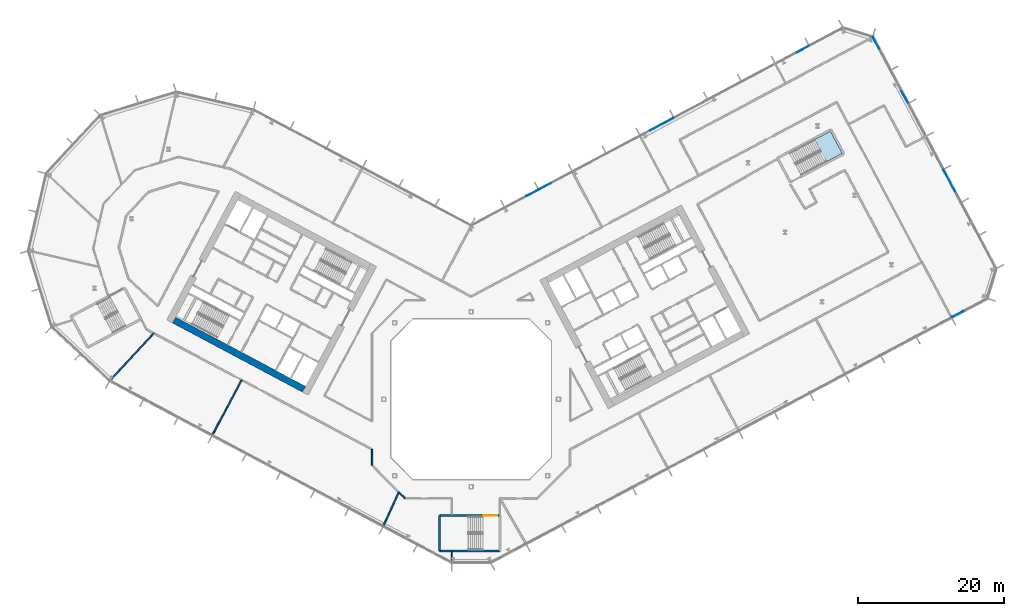
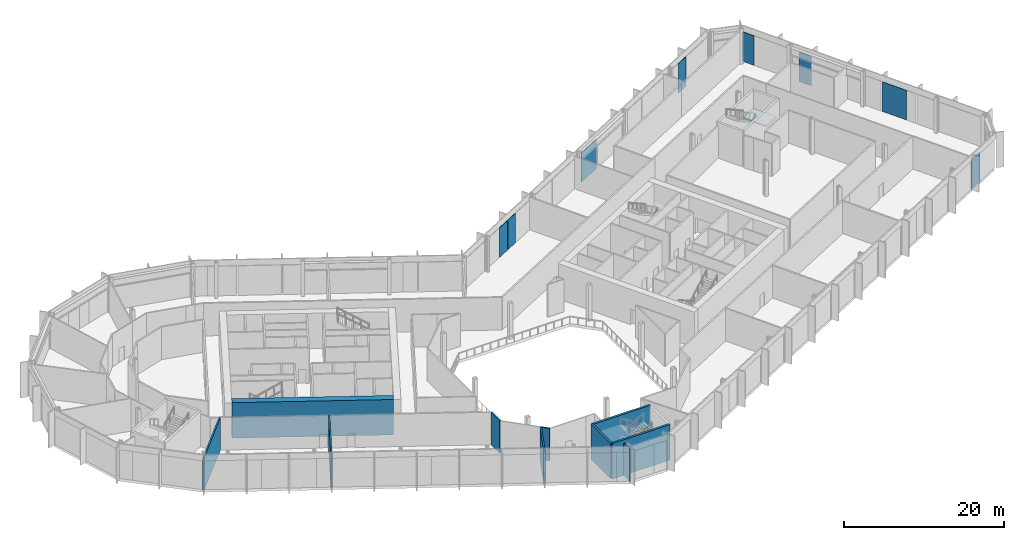
# One storey, part 11 of 31: 10 walls, 8 plates, 1 door, 1 slab, 1 opening, 4 elements without a shape of their own.
"""IFC4 building model written with IfcOpenShell, lengths in metres."""

from ifc_helpers import new_model, si_unit, direction, frame, frame_2d, origin, origin_2d, place, context, subcontext, project, spatial, polyline, rectangle, outline, extrude, material, layer, layer_set, type_object, element, fill, aggregate, save


model = new_model("IFC4")

# Units and contexts
model_context = context("Model", 3, precision=1e-05, world=origin(), true_north=direction((0.0, 1.0)))
body_context = subcontext(model_context, "Body", "Model", "MODEL_VIEW")
ifc_project = project(units=[si_unit("LENGTHUNIT", "METRE"), si_unit("AREAUNIT", "SQUARE_METRE"), si_unit("VOLUMEUNIT", "CUBIC_METRE"), si_unit("PLANEANGLEUNIT", "RADIAN"), si_unit("MASSUNIT", "GRAM", prefix="KILO")], contexts=[model_context])

# Site, building, storey
site_placement = place(None, origin())
site = spatial("IfcSite", under=ifc_project, at=site_placement, CompositionType="ELEMENT")
building_placement = place(site_placement, origin())
building = spatial("IfcBuilding", under=site, at=building_placement, Name="Cormorant Relay Tower", CompositionType="ELEMENT")
storey_placement = place(building_placement, frame((0.0, 0.0, 50.0)))
storey = spatial("IfcBuildingStorey", under=building, at=storey_placement, Name="L09", CompositionType="ELEMENT", Elevation=50.0)

# Curtain wall, plate
ifc_material_1 = material(Name="Aluminium 6063-T6 anodised bronze", Category="aluminium")
ifc_layer_1 = layer(ifc_material_1, 0.235107421875)
ifc_layer_set_1 = layer_set([ifc_layer_1], Name="CW6 data hall curtain wall with mineral wool panels")
curtain_wall_type = type_object("IfcCurtainWallType", Name="CW6 data hall curtain wall with mineral wool panels", PredefinedType="NOTDEFINED", material=ifc_layer_set_1)
curtain_wall_1_placement = place(storey_placement, origin())
curtain_wall_1 = element("IfcCurtainWall", 1, at=curtain_wall_1_placement, inside=storey, type_object=curtain_wall_type, Name="CW6 curtain wall 2", PredefinedType="NOTDEFINED")
ifc_material_2 = material(Name="Tinted triple-glazed laminated unit")
ifc_layer_2 = layer(ifc_material_2, 0.074951171875)
ifc_layer_set_2 = layer_set([ifc_layer_2], Name="CW6 triple-glazed vision unit 1800 module")
plate_type_1 = type_object("IfcPlateType", Name="CW6 triple-glazed vision unit 1800 module", PredefinedType="CURTAIN_PANEL", material=ifc_layer_set_2)
plate_1_placement = place(storey_placement, frame((66.794189453125, 11.688720703125, 0.0), z_axis=(0.0, 0.0, 1.0), x_axis=(0.882947592859, 0.469471562786, 0.0)))
plate_1 = element("IfcPlate", 2, at=plate_1_placement, type_object=plate_type_1, Name="CW6 panel V14", PredefinedType="CURTAIN_PANEL", context=body_context, shape_type="SweptSolid", body=[
    extrude(rectangle(XDim=1.800048828125, YDim=0.074951171875, at=origin_2d()), origin(), (0.0, 0.0, 1.0), 4.5),
])
aggregate(curtain_wall_1, [plate_1])

# Curtain wall, plates
curtain_wall_2_placement = place(storey_placement, origin())
curtain_wall_2 = element("IfcCurtainWall", 3, at=curtain_wall_2_placement, inside=storey, type_object=curtain_wall_type, Name="CW6 curtain wall 4", PredefinedType="NOTDEFINED")
plate_2_placement = place(storey_placement, frame((59.52587890625, 41.49169921875, 0.0), z_axis=(0.0, 0.0, 1.0), x_axis=(-0.469471562786, 0.882947592859, 0.0)))
plate_2 = element("IfcPlate", 4, at=plate_2_placement, type_object=plate_type_1, Name="CW6 panel V04", PredefinedType="CURTAIN_PANEL", context=body_context, shape_type="SweptSolid", body=[
    extrude(rectangle(XDim=1.800048828125, YDim=0.074951171875, at=origin_2d()), origin(), (0.0, 0.0, 1.0), 4.5),
])
plate_3_placement = place(storey_placement, frame((55.577392578125, 48.91796875, 0.0), z_axis=(0.0, 0.0, 1.0), x_axis=(-0.469471562786, 0.882947592859, 0.0)))
plate_3 = element("IfcPlate", 5, at=plate_3_placement, type_object=plate_type_1, Name="CW6 panel V06", PredefinedType="CURTAIN_PANEL", context=body_context, shape_type="SweptSolid", body=[
    extrude(rectangle(XDim=1.800048828125, YDim=0.074951171875, at=origin_2d()), origin(), (0.0, 0.0, 1.0), 4.5),
])

curtain_wall_3_placement = place(storey_placement, origin())
curtain_wall_3 = element("IfcCurtainWall", 6, at=curtain_wall_3_placement, inside=storey, type_object=curtain_wall_type, Name="CW6 curtain wall 6", PredefinedType="NOTDEFINED")
plate_4_placement = place(storey_placement, frame((45.543701171875, 48.04248046875, 0.0), z_axis=(0.0, 0.0, 1.0), x_axis=(-0.882947592859, -0.469471562786, 0.0)))
plate_4 = element("IfcPlate", 7, at=plate_4_placement, type_object=plate_type_1, Name="CW6 panel V01", PredefinedType="CURTAIN_PANEL", context=body_context, shape_type="SweptSolid", body=[
    extrude(rectangle(XDim=1.800048828125, YDim=0.074951171875, at=origin_2d()), origin(), (0.0, 0.0, 1.0), 4.5),
])
plate_5_placement = place(storey_placement, frame((10.127685546875, 29.21142578125, 0.0), z_axis=(0.0, 0.0, 1.0), x_axis=(-0.882947592859, -0.469471562786, 0.0)))
plate_5 = element("IfcPlate", 8, at=plate_5_placement, type_object=plate_type_1, Name="CW6 panel V07", PredefinedType="CURTAIN_PANEL", context=body_context, shape_type="SweptSolid", body=[
    extrude(rectangle(XDim=1.800048828125, YDim=0.074951171875, at=origin_2d()), origin(), (0.0, 0.0, 1.0), 4.5),
])
plate_6_placement = place(storey_placement, frame((8.406005859375, 28.2958984375, 0.0), z_axis=(0.0, 0.0, 1.0), x_axis=(-0.882947592859, -0.469471562786, 0.0)))
plate_6 = element("IfcPlate", 9, at=plate_6_placement, type_object=plate_type_1, Name="CW6 panel V08", PredefinedType="CURTAIN_PANEL", context=body_context, shape_type="SweptSolid", body=[
    extrude(rectangle(XDim=1.800048828125, YDim=0.074951171875, at=origin_2d()), origin(), (0.0, 0.0, 1.0), 4.5),
])

# Plate
ifc_material_3 = material(Name="Tinted triple-glazed laminated unit")
ifc_layer_3 = layer(ifc_material_3, 0.074951171875)
ifc_layer_set_3 = layer_set([ifc_layer_3], Name="CW6 triple-glazed vision unit 3600 module")
plate_type_2 = type_object("IfcPlateType", Name="CW6 triple-glazed vision unit 3600 module", PredefinedType="CURTAIN_PANEL", material=ifc_layer_set_3)
plate_7_placement = place(storey_placement, frame((65.69287109375, 29.8935546875, 0.0), z_axis=(0.0, 0.0, 1.0), x_axis=(-0.469471562786, 0.882947592859, 0.0)))
plate_7 = element("IfcPlate", 10, at=plate_7_placement, type_object=plate_type_2, Name="CW6 panel V02", PredefinedType="CURTAIN_PANEL", context=body_context, shape_type="SweptSolid", body=[
    extrude(rectangle(XDim=3.60009765625, YDim=0.074951171875, at=origin_2d()), origin(), (0.0, 0.0, 1.0), 4.5),
])

aggregate(curtain_wall_2, [plate_7, plate_2, plate_3])

plate_8_placement = place(storey_placement, frame((26.18017578125, 37.74658203125, 0.0), z_axis=(0.0, 0.0, 1.0), x_axis=(-0.882947592859, -0.469471562786, 0.0)))
plate_8 = element("IfcPlate", 11, at=plate_8_placement, type_object=plate_type_2, Name="CW6 panel V04", PredefinedType="CURTAIN_PANEL", context=body_context, shape_type="SweptSolid", body=[
    extrude(rectangle(XDim=3.60009765625, YDim=0.074951171875, at=origin_2d()), origin(), (0.0, 0.0, 1.0), 4.5),
])

aggregate(curtain_wall_3, [plate_4, plate_8, plate_5, plate_6])

# Stair, slab
ifc_material_4 = material(Name="Concrete 40 MPa", Category="concrete")
stair_type = type_object("IfcStairType", Name="Exit stair 1500", PredefinedType="HALF_TURN_STAIR", material=ifc_material_4)
stair_placement = place(storey_placement, origin())
stair = element("IfcStair", 12, at=stair_placement, inside=storey, type_object=stair_type, Name="L09 Stair", PredefinedType="HALF_TURN_STAIR")
ifc_material_5 = material(Name="Concrete 40 MPa", Category="concrete")
ifc_layer_4 = layer(ifc_material_5, 0.199951171875)
ifc_layer_set_4 = layer_set([ifc_layer_4], Name="Exit stair landing 200")
slab_type = type_object("IfcSlabType", Name="Exit stair landing 200", PredefinedType="LANDING", material=ifc_layer_set_4)
slab_placement = place(storey_placement, frame((0.0, 0.0, 2.5)))
slab = element("IfcSlab", 13, at=slab_placement, type_object=slab_type, Name="RB1 landing 1", PredefinedType="LANDING", context=body_context, shape_type="SweptSolid", body=[
    extrude(outline(polyline([(48.796142578125, 32.614013671875), (50.941650390625, 33.7548828125), (49.322021484375, 36.801025390625), (47.17626953125, 35.66015625), (48.796142578125, 32.614013671875)])), origin(), (0.0, 0.0, 1.0), 0.199951171875),
])
aggregate(stair, [slab])

# Walls
ifc_material_6 = material(Name="Concrete 70 MPa", Category="concrete")
ifc_layer_5 = layer(ifc_material_6, 0.89990234375)
ifc_layer_set_5 = layer_set([ifc_layer_5], Name="Core wall 900")
wall_type_1 = type_object("IfcWallType", Name="Core wall 900", PredefinedType="SHEAR", material=ifc_layer_set_5)
wall_1_placement = place(storey_placement, frame((-22.93701171875, 1.3798828125, 0.0), z_axis=(0.0, 0.0, 1.0), x_axis=(-0.88295276571, 0.46946183394, 0.0)))
element("IfcWall", 14, at=wall_1_placement, inside=storey, type_object=wall_type_1, Name="L09 core A wall", PredefinedType="SHEAR", context=body_context, shape_type="SweptSolid", body=[
    extrude(rectangle(XDim=20.199951171875, YDim=0.89990234375, at=frame_2d((10.10009765625, 0.0))), origin(), (0.0, 0.0, 1.0), 5.39990234375),
])
ifc_material_7 = material(Name="Fire-rated gypsum board partition")
ifc_layer_6 = layer(ifc_material_7, 0.199951171875)
ifc_layer_set_6 = layer_set([ifc_layer_6], Name="Fire-rated gypsum partition 200")
wall_type_2 = type_object("IfcWallType", Name="Fire-rated gypsum partition 200", PredefinedType="PARTITIONING", material=ifc_layer_set_6)
wall_2_placement = place(storey_placement, frame((-49.73291015625, 2.43310546875, 0.0), z_axis=(0.0, 0.0, 1.0), x_axis=(0.682002261255, 0.731350063679, 0.0)))
element("IfcWall", 15, at=wall_2_placement, inside=storey, type_object=wall_type_2, Name="wall/L09/part/10", PredefinedType="PARTITIONING", context=body_context, shape_type="SweptSolid", body=[
    extrude(rectangle(XDim=9.05859375, YDim=0.199951171875, at=frame_2d((4.529296875, 0.0))), origin(), (0.0, 0.0, 1.0), 4.949951171875),
])
wall_3_placement = place(storey_placement, frame((-31.4951171875, 2.64599609375, 0.0), z_axis=(0.0, 0.0, 1.0), x_axis=(-0.469461194384, -0.882953105758, 0.0)))
element("IfcWall", 16, at=wall_3_placement, inside=storey, type_object=wall_type_2, Name="wall/L09/part/11", PredefinedType="PARTITIONING", context=body_context, shape_type="SweptSolid", body=[
    extrude(rectangle(XDim=8.750244140625, YDim=0.199951171875, at=frame_2d((4.375, 0.0))), origin(), (0.0, 0.0, 1.0), 4.949951171875),
])
wall_4_placement = place(storey_placement, frame((-13.60009765625, -9.076904296875, 0.0), z_axis=(0.0, 0.0, 1.0), x_axis=(0.0, 1.0, 0.0)))
element("IfcWall", 17, at=wall_4_placement, inside=storey, type_object=wall_type_2, Name="wall/L09/part/40", PredefinedType="PARTITIONING", context=body_context, shape_type="SweptSolid", body=[
    extrude(rectangle(XDim=2.19189453125, YDim=0.199951171875, at=frame_2d((1.095947265625, 0.0))), origin(), (0.0, 0.0, 1.0), 4.949951171875),
])
wall_5_placement = place(storey_placement, frame((-9.91796875, -12.759033203125, 0.0), z_axis=(0.0, 0.0, 1.0), x_axis=(-0.41878582264, -0.908085037183, 0.0)))
element("IfcWall", 18, at=wall_5_placement, inside=storey, type_object=wall_type_2, Name="wall/L09/part/43", PredefinedType="PARTITIONING", context=body_context, shape_type="SweptSolid", body=[
    extrude(rectangle(XDim=5.286865234375, YDim=0.199951171875, at=frame_2d((2.6435546875, 0.0))), origin(), (0.0, 0.0, 1.0), 4.949951171875),
])
wall_6_placement = place(storey_placement, frame((-9.076904296875, -13.60009765625, 0.0), z_axis=(0.0, 0.0, 1.0), x_axis=(-0.707106781187, 0.707106781187, 0.0)))
element("IfcWall", 19, at=wall_6_placement, inside=storey, type_object=wall_type_2, Name="wall/L09/part/45", PredefinedType="PARTITIONING", context=body_context, shape_type="SweptSolid", body=[
    extrude(rectangle(XDim=1.189453125, YDim=0.199951171875, at=frame_2d((0.5947265625, 0.0))), origin(), (0.0, 0.0, 1.0), 4.949951171875),
])
ifc_material_8 = material(Name="Gypsum board partition")
ifc_layer_7 = layer(ifc_material_8, 0.14990234375)
ifc_layer_set_7 = layer_set([ifc_layer_7], Name="Gypsum board partition 150")
wall_type_3 = type_object("IfcWallType", Name="Gypsum board partition 150", PredefinedType="PARTITIONING", material=ifc_layer_set_7)
wall_7_placement = place(storey_placement, frame((-2.64892578125, -20.9599609375, 0.0), z_axis=(0.0, 0.0, 1.0), x_axis=(0.0, -1.0, 0.0)))
element("IfcWall", 20, at=wall_7_placement, inside=storey, type_object=wall_type_3, Name="wall/L09/part/50", PredefinedType="PARTITIONING", context=body_context, shape_type="SweptSolid", body=[
    extrude(rectangle(XDim=1.6220703125, YDim=0.14990234375, at=frame_2d((0.81103515625, 0.0))), origin(), (0.0, 0.0, 1.0), 4.949951171875),
])
ifc_material_9 = material(Name="Concrete 50 MPa", Category="concrete")
ifc_layer_8 = layer(ifc_material_9, 0.300048828125)
ifc_layer_set_8 = layer_set([ifc_layer_8], Name="Remote stair wall 300")
wall_type_4 = type_object("IfcWallType", Name="Remote stair wall 300", PredefinedType="SHEAR", material=ifc_layer_set_8)
wall_8_placement = place(storey_placement, frame((3.949951171875, -20.824951171875, 0.0), z_axis=(0.0, 0.0, 1.0), x_axis=(-1.0, 0.0, 0.0)))
element("IfcWall", 21, at=wall_8_placement, inside=storey, type_object=wall_type_4, Name="L09 exit stair RK1 wall", PredefinedType="SHEAR", context=body_context, shape_type="SweptSolid", body=[
    extrude(rectangle(XDim=8.300048828125, YDim=0.300048828125, at=frame_2d((4.14990234375, 0.0))), origin(), (0.0, 0.0, 1.0), 5.39990234375),
])
wall_9_placement = place(storey_placement, frame((-4.35009765625, -20.824951171875, 0.0), z_axis=(0.0, 0.0, 1.0), x_axis=(0.0, 1.0, 0.0)))
element("IfcWall", 22, at=wall_9_placement, inside=storey, type_object=wall_type_4, Name="L09 exit stair RK1 wall", PredefinedType="SHEAR", context=body_context, shape_type="SweptSolid", body=[
    extrude(rectangle(XDim=4.849853515625, YDim=0.300048828125, at=frame_2d((2.4248046875, 0.0))), origin(), (0.0, 0.0, 1.0), 5.39990234375),
])

# Wall, opening, door
wall_10_placement = place(storey_placement, frame((-4.35009765625, -15.97509765625, 0.0), z_axis=(0.0, 0.0, 1.0), x_axis=(1.0, 0.0, 0.0)))
wall_10 = element("IfcWall", 23, at=wall_10_placement, inside=storey, type_object=wall_type_4, Name="L09 exit stair RK1 wall", PredefinedType="SHEAR", context=body_context, shape_type="SweptSolid", body=[
    extrude(rectangle(XDim=8.300048828125, YDim=0.300048828125, at=frame_2d((4.14990234375, 0.0))), origin(), (0.0, 0.0, 1.0), 5.39990234375),
])
opening_placement = place(wall_10_placement, frame((6.050048828125, 0.0, 0.0)))
opening = element("IfcOpeningElement", 24, at=opening_placement, cuts=wall_10, Name="Opening CDE-006", PredefinedType="OPENING", context=body_context, shape_type="SweptSolid", body=[
    extrude(rectangle(XDim=1.89990234375, YDim=2.10009765625, at=frame_2d((0.949951171875, 1.050048828125))), frame((0.0, 0.159912109375, 0.0), z_axis=(0.0, -1.0, 0.0), x_axis=(1.0, 0.0, 0.0)), (0.0, 0.0, 1.0), 0.320068359375),
])
ifc_material_10 = material(Name="Steel fire door", Category="steel")
door_type = type_object("IfcDoorType", Name="Remote stair door 1900x2100", OperationType="DOUBLE_DOOR_SINGLE_SWING", PredefinedType="DOOR", material=ifc_material_10)
door_placement = place(opening_placement, frame((1.89990234375, 0.0, 0.0), z_axis=(0.0, 0.0, 1.0), x_axis=(-1.0, 0.0, 0.0)))
door = element("IfcDoor", 25, at=door_placement, inside=storey, type_object=door_type, Name="Exit stair RK1 door", OperationType="DOUBLE_DOOR_SINGLE_SWING", OverallHeight=2.10009765625, OverallWidth=1.89990234375, PredefinedType="DOOR", context=body_context, shape_type="SweptSolid", body=[
    extrude(rectangle(XDim=1.89990234375, YDim=2.10009765625, at=frame_2d((0.949951171875, 1.050048828125))), frame((0.0, 0.02490234375, 0.0), z_axis=(0.0, -1.0, 0.0), x_axis=(1.0, 0.0, 0.0)), (0.0, 0.0, 1.0), 0.050048828125),
])
fill(opening, door)

save(model, "model.ifc")
